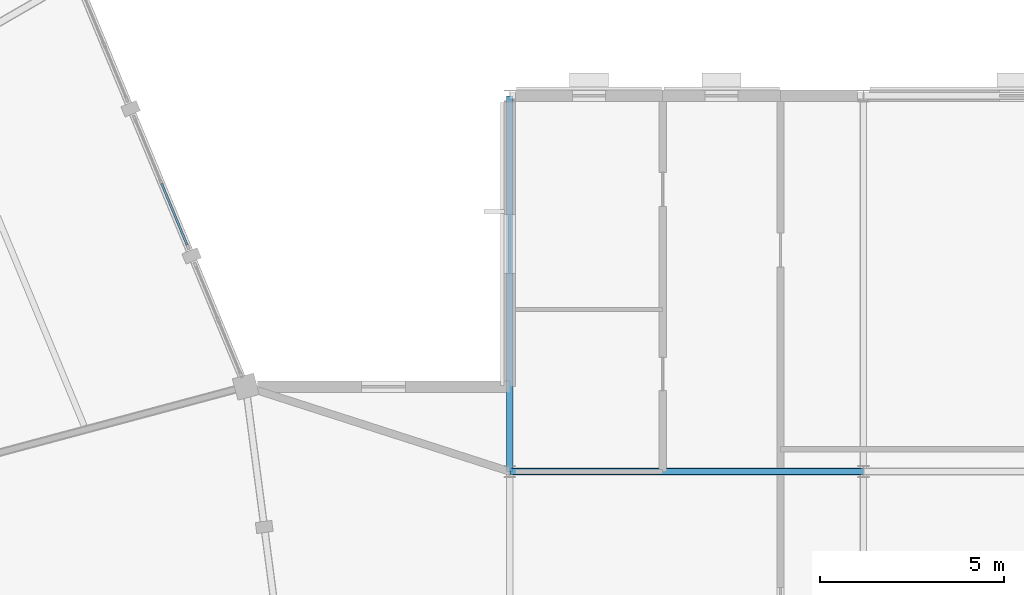
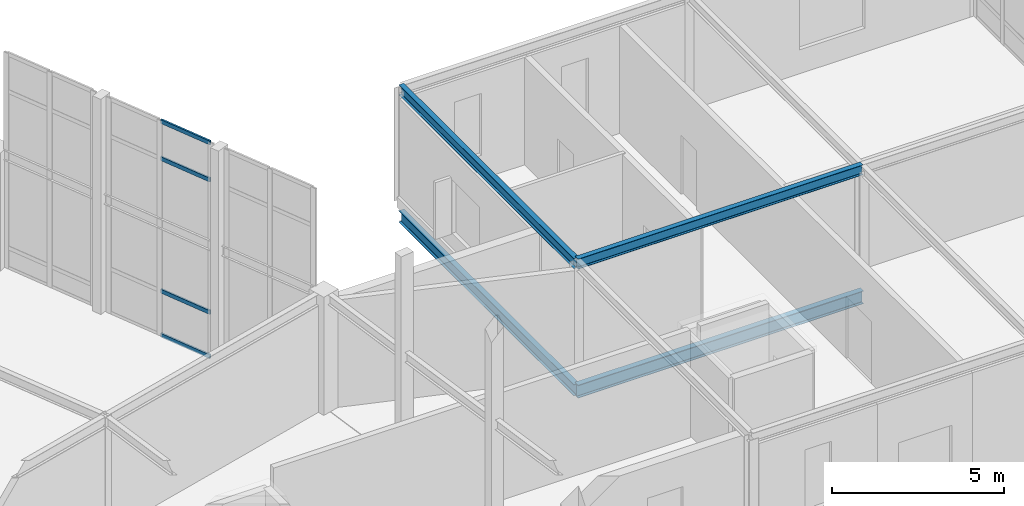
# One storey, part 125 of 185: 4 beams, 4 members, 1 element without a shape of its own.
"""IFC4 building model written with IfcOpenShell, lengths in metres."""

from ifc_helpers import new_model, si_unit, direction, frame, origin, origin_2d, place, context, subcontext, project, spatial, hollow_rectangle, i_section, extrude, material, material_profile, profile_set, type_object, element, aggregate, save


model = new_model("IFC4")

# Units and contexts
model_context = context("Model", 3, precision=1e-05, world=origin(), true_north=direction((0.0, 1.0)))
body_context = subcontext(model_context, "Body", "Model", "MODEL_VIEW")
ifc_project = project(units=[si_unit("LENGTHUNIT", "METRE"), si_unit("AREAUNIT", "SQUARE_METRE"), si_unit("VOLUMEUNIT", "CUBIC_METRE"), si_unit("PLANEANGLEUNIT", "RADIAN"), si_unit("MASSUNIT", "GRAM", prefix="KILO")], contexts=[model_context])

# Site, building, storey
site_placement = place(None, origin())
site = spatial("IfcSite", under=ifc_project, at=site_placement, CompositionType="ELEMENT")
building_placement = place(site_placement, origin())
building = spatial("IfcBuilding", under=site, at=building_placement, Name="Vondelvale Polytechnic", CompositionType="ELEMENT")
storey_placement = place(building_placement, frame((0.0, 0.0, 9.60009765625)))
storey = spatial("IfcBuildingStorey", under=building, at=storey_placement, Name="L02", CompositionType="ELEMENT", Elevation=9.60009765625)

# Beams
ifc_material_1 = material(Name="Steel 300PLUS (fy = 300 MPa)", Category="steel")
ifc_material_profile_1 = material_profile(ifc_material_1, i_section(OverallWidth=0.172119140625, OverallDepth=0.35888671875, WebThickness=0.008056640625, FlangeThickness=0.012939453125, FilletRadius=0.011474609375, at=origin_2d()), Name="360UB56.7")
ifc_profile_set_1 = profile_set([ifc_material_profile_1], Name="Steel 300PLUS (fy = 300 MPa)")
beam_type_1 = type_object("IfcBeamType", Name="BM-UB360H", PredefinedType="BEAM", material=ifc_profile_set_1)
beam_1_placement = place(storey_placement, frame((153.60009765625, 81.60009765625, 4.0205078125), z_axis=(1.0, 0.0, 0.0), x_axis=(0.0, 1.0, 0.0)))
element("IfcBeam", 1, at=beam_1_placement, inside=storey, type_object=beam_type_1, Name="L02 RM B-15", PredefinedType="BEAM", context=body_context, shape_type="SweptSolid", body=[
    extrude(i_section(OverallWidth=0.172119140625, OverallDepth=0.35888671875, WebThickness=0.008056640625, FlangeThickness=0.012939453125, FilletRadius=0.011474609375, at=origin_2d()), origin(), (0.0, 0.0, 1.0), 9.599853515625),
])
beam_2_placement = place(storey_placement, frame((153.60009765625, 81.60009765625, 4.0205078125), z_axis=(0.0, 1.0, 0.0), x_axis=(-1.0, 0.0, 0.0)))
element("IfcBeam", 2, at=beam_2_placement, inside=storey, type_object=beam_type_1, Name="L02 RM B-15", PredefinedType="BEAM", context=body_context, shape_type="SweptSolid", body=[
    extrude(i_section(OverallWidth=0.172119140625, OverallDepth=0.35888671875, WebThickness=0.008056640625, FlangeThickness=0.012939453125, FilletRadius=0.011474609375, at=origin_2d()), origin(), (0.0, 0.0, 1.0), 10.199951171875),
])
ifc_material_profile_2 = material_profile(ifc_material_1, i_section(OverallWidth=0.177978515625, OverallDepth=0.406005859375, WebThickness=0.0078125, FlangeThickness=0.0126953125, FilletRadius=0.011474609375, at=origin_2d()), Name="410UB59.7")
ifc_profile_set_2 = profile_set([ifc_material_profile_2], Name="Steel 300PLUS (fy = 300 MPa)")
beam_type_2 = type_object("IfcBeamType", Name="BM-UB410", PredefinedType="BEAM", material=ifc_profile_set_2)
beam_3_placement = place(storey_placement, frame((153.60009765625, 81.60009765625, -0.483154296875), z_axis=(0.0, 1.0, 0.0), x_axis=(-1.0, 0.0, 0.0)))
element("IfcBeam", 3, at=beam_3_placement, inside=storey, type_object=beam_type_2, Name="L02 B B-14", PredefinedType="BEAM", context=body_context, shape_type="SweptSolid", body=[
    extrude(i_section(OverallWidth=0.177978515625, OverallDepth=0.406005859375, WebThickness=0.0078125, FlangeThickness=0.0126953125, FilletRadius=0.011474609375, at=origin_2d()), origin(), (0.0, 0.0, 1.0), 10.199951171875),
])
ifc_material_profile_3 = material_profile(ifc_material_1, i_section(OverallWidth=0.19091796875, OverallDepth=0.4599609375, WebThickness=0.010009765625, FlangeThickness=0.01611328125, FilletRadius=0.011474609375, at=origin_2d()), Name="460UB82.1")
ifc_profile_set_3 = profile_set([ifc_material_profile_3], Name="Steel 300PLUS (fy = 300 MPa)")
beam_type_3 = type_object("IfcBeamType", Name="BM-UB460H", PredefinedType="BEAM", material=ifc_profile_set_3)
beam_4_placement = place(storey_placement, frame((153.60009765625, 81.60009765625, -0.510009765625), z_axis=(1.0, 0.0, 0.0), x_axis=(0.0, 1.0, 0.0)))
element("IfcBeam", 4, at=beam_4_placement, inside=storey, type_object=beam_type_3, Name="L02 B B-12", PredefinedType="BEAM", context=body_context, shape_type="SweptSolid", body=[
    extrude(i_section(OverallWidth=0.19091796875, OverallDepth=0.4599609375, WebThickness=0.010009765625, FlangeThickness=0.01611328125, FilletRadius=0.011474609375, at=origin_2d()), origin(), (0.0, 0.0, 1.0), 9.599853515625),
])

# Curtain wall, members
ifc_material_2 = material(Name="Glulam GL18 structural Tasmanian oak (fb = 42 MPa)", Category="wood")
curtain_wall_type = type_object("IfcCurtainWallType", Name="CW-RING-OUTER", PredefinedType="NOTDEFINED", material=ifc_material_2)
curtain_wall_placement = place(storey_placement, origin())
curtain_wall = element("IfcCurtainWall", 5, at=curtain_wall_placement, inside=storey, type_object=curtain_wall_type, Name="L02 architectural curtain wall CW-04-083", PredefinedType="NOTDEFINED")
ifc_material_3 = material(Name="Anodised extruded aluminium 6063-T6", Category="aluminium")
ifc_material_profile_4 = material_profile(ifc_material_3, hollow_rectangle(XDim=0.06005859375, YDim=0.139892578125, WallThickness=0.00341796875, at=origin_2d()), Name="CW-TRN-140x60")
ifc_profile_set_4 = profile_set([ifc_material_profile_4], Name="Anodised extruded aluminium 6063-T6")
member_type = type_object("IfcMemberType", Name="CW-TRN-60x140", PredefinedType="USERDEFINED", material=ifc_profile_set_4)
member_1_placement = place(storey_placement, frame((144.839599609375, 87.75146484375, 0.02978515625), z_axis=(-0.382717291485, 0.923865506878, 0.0), x_axis=(-0.923865506878, -0.382717291485, 0.0)))
member_1 = element("IfcMember", 6, at=member_1_placement, type_object=member_type, Name="CW-04-083 transom 1.1", ObjectType="TRANSOM", PredefinedType="USERDEFINED", context=body_context, shape_type="SweptSolid", body=[
    extrude(hollow_rectangle(XDim=0.06005859375, YDim=0.139892578125, WallThickness=0.00341796875, at=origin_2d()), origin(), (0.0, 0.0, 1.0), 1.80908203125),
])
member_2_placement = place(storey_placement, frame((144.839599609375, 87.75146484375, 1.599853515625), z_axis=(-0.382717291485, 0.923865506878, 0.0), x_axis=(-0.923865506878, -0.382717291485, 0.0)))
member_2 = element("IfcMember", 7, at=member_2_placement, type_object=member_type, Name="CW-04-083 transom 1.2", ObjectType="TRANSOM", PredefinedType="USERDEFINED", context=body_context, shape_type="SweptSolid", body=[
    extrude(hollow_rectangle(XDim=0.06005859375, YDim=0.139892578125, WallThickness=0.00341796875, at=origin_2d()), origin(), (0.0, 0.0, 1.0), 1.80908203125),
])
member_3_placement = place(storey_placement, frame((144.839599609375, 87.75146484375, 6.311279296875), z_axis=(-0.382717291485, 0.923865506878, 0.0), x_axis=(-0.923865506878, -0.382717291485, 0.0)))
member_3 = element("IfcMember", 8, at=member_3_placement, type_object=member_type, Name="CW-04-083 transom 1.3", ObjectType="TRANSOM", PredefinedType="USERDEFINED", context=body_context, shape_type="SweptSolid", body=[
    extrude(hollow_rectangle(XDim=0.06005859375, YDim=0.139892578125, WallThickness=0.00341796875, at=origin_2d()), origin(), (0.0, 0.0, 1.0), 1.80908203125),
])
member_4_placement = place(storey_placement, frame((144.839599609375, 87.75146484375, 7.63134765625), z_axis=(-0.382717291485, 0.923865506878, 0.0), x_axis=(-0.923865506878, -0.382717291485, 0.0)))
member_4 = element("IfcMember", 9, at=member_4_placement, type_object=member_type, Name="CW-04-083 transom 1.4", ObjectType="TRANSOM", PredefinedType="USERDEFINED", context=body_context, shape_type="SweptSolid", body=[
    extrude(hollow_rectangle(XDim=0.06005859375, YDim=0.139892578125, WallThickness=0.00341796875, at=origin_2d()), origin(), (0.0, 0.0, 1.0), 1.80908203125),
])
aggregate(curtain_wall, [member_1, member_2, member_3, member_4])

save(model, "model.ifc")
